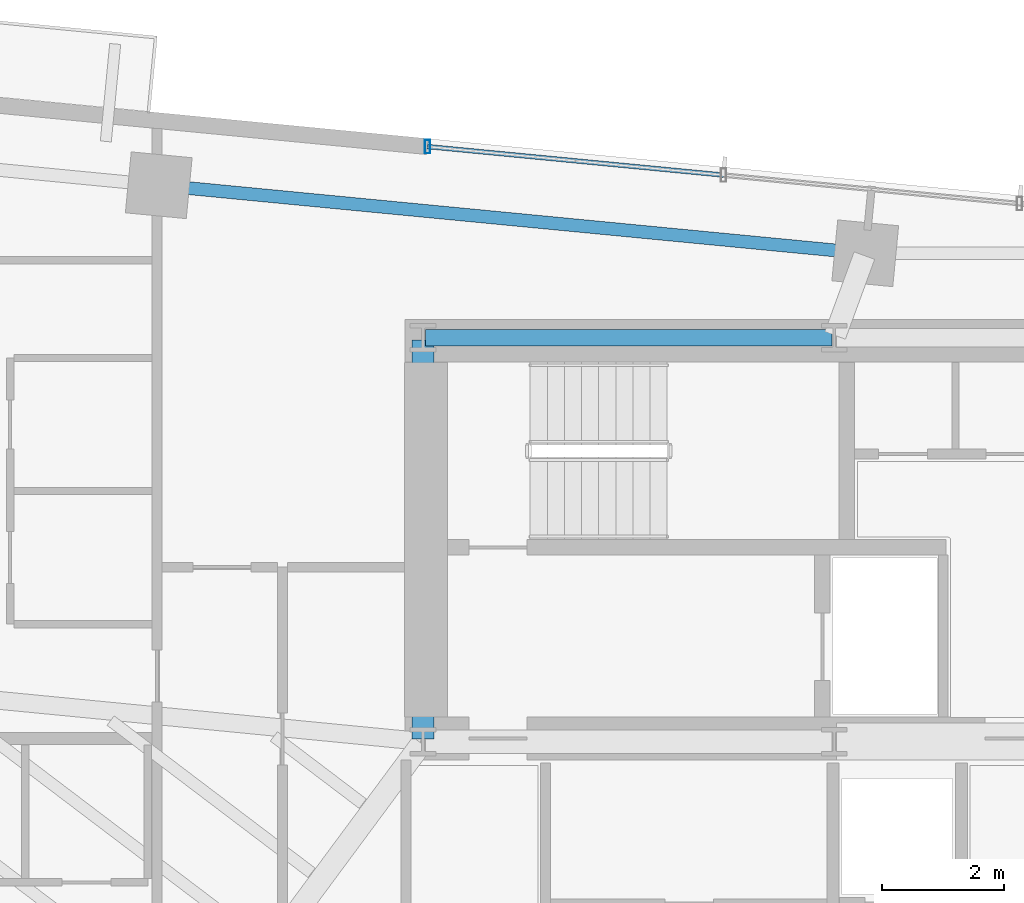
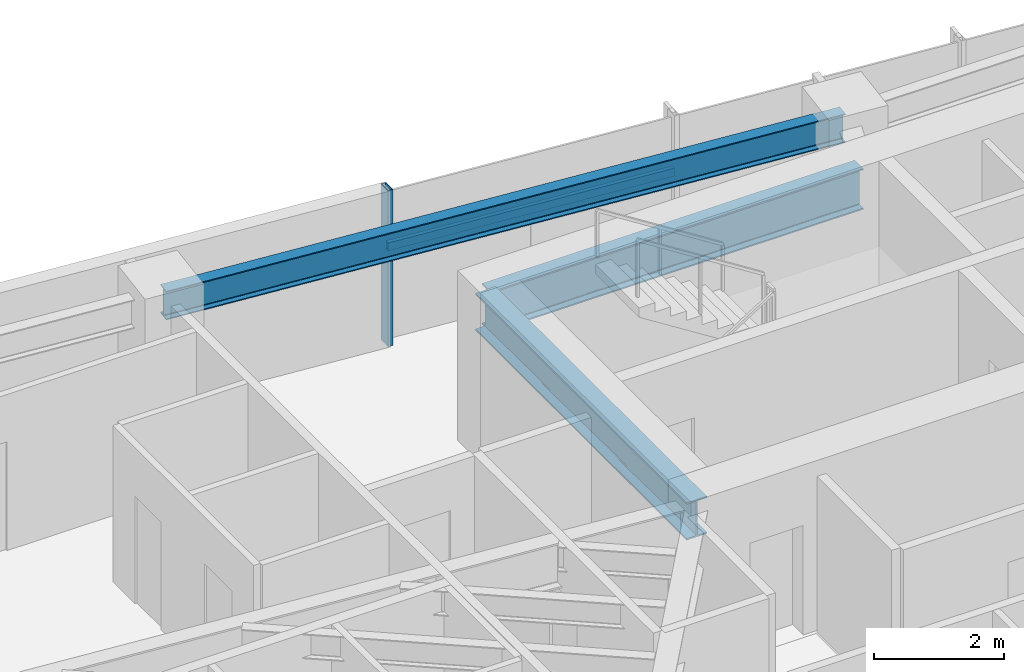
# One storey, part 7 of 20: 3 beams, 2 members, 1 element without a shape of its own.
"""IFC4 building model written with IfcOpenShell, lengths in metres."""

from ifc_helpers import new_model, si_unit, direction, frame, origin, origin_2d, place, context, subcontext, project, spatial, hollow_rectangle, i_section, extrude, source, transform, mapped, material, material_profile, profile_set, type_object, type_shapes, element, aggregate, save


model = new_model("IFC4")

# Units and contexts
model_context = context("Model", 3, precision=1e-05, world=origin(), true_north=direction((0.0, 1.0)))
body_context = subcontext(model_context, "Body", "Model", "MODEL_VIEW")
ifc_project = project(units=[si_unit("LENGTHUNIT", "METRE"), si_unit("AREAUNIT", "SQUARE_METRE"), si_unit("VOLUMEUNIT", "CUBIC_METRE"), si_unit("PLANEANGLEUNIT", "RADIAN"), si_unit("MASSUNIT", "GRAM", prefix="KILO")], contexts=[model_context])

# Site, building, storey
site_placement = place(None, origin())
site = spatial("IfcSite", under=ifc_project, at=site_placement, CompositionType="ELEMENT")
building_placement = place(site_placement, origin())
building = spatial("IfcBuilding", under=site, at=building_placement, Name="Astriad Promenade Condominiums", CompositionType="ELEMENT")
storey_placement = place(building_placement, frame((0.0, 0.0, 137.39990234375)))
storey = spatial("IfcBuildingStorey", under=building, at=storey_placement, Name="L39", CompositionType="ELEMENT", Elevation=137.39990234375)

# Beams
ifc_material_1 = material(Name="Steel ASTM A992 Grade 50", Category="steel")
ifc_material_profile_1 = material_profile(ifc_material_1, i_section(OverallWidth=0.267822265625, OverallDepth=0.76953125, WebThickness=0.015625, FlangeThickness=0.025390625, FilletRadius=0.021484375, at=origin_2d()), Name="W30X132")
ifc_profile_set_1 = profile_set([ifc_material_profile_1], Name="Steel ASTM A992 Grade 50")
beam_type_1 = type_object("IfcBeamType", Name="STEEL FLOOR GIRDER W30X132", PredefinedType="BEAM", material=ifc_profile_set_1)
shared_shape_1 = source(origin(), body_context, "Body", "SweptSolid", [
    extrude(i_section(OverallWidth=0.267822265625, OverallDepth=0.76953125, WebThickness=0.015625, FlangeThickness=0.025390625, FilletRadius=0.021484375, at=origin_2d()), origin(), (0.0, 0.0, 1.0), 6.64013671875),
])
type_shapes(beam_type_1, [shared_shape_1])
beam_1_placement = place(storey_placement, frame((26.43994140625, 24.0, 2.55517578125), z_axis=(1.0, 0.0, 0.0), x_axis=(0.0, 1.0, 0.0)))
element("IfcBeam", 1, at=beam_1_placement, inside=storey, type_object=beam_type_1, Name="Core Ring Beam CG-N1-L39", PredefinedType="BEAM", context=body_context, shape_type="MappedRepresentation", body=[
    mapped(shared_shape_1, transform((0.0, 0.0, 0.0), scale=1.0)),
])
ifc_material_profile_2 = material_profile(ifc_material_1, i_section(OverallWidth=0.35791015625, OverallDepth=0.706298828125, WebThickness=0.018310546875, FlangeThickness=0.0302734375, FilletRadius=0.020263671875, at=origin_2d()), Name="W27X178")
ifc_profile_set_2 = profile_set([ifc_material_profile_2], Name="Steel ASTM A992 Grade 50")
beam_type_2 = type_object("IfcBeamType", Name="STEEL FLOOR GIRDER W27X178", PredefinedType="BEAM", material=ifc_profile_set_2)
shared_shape_2 = source(origin(), body_context, "Body", "SweptSolid", [
    extrude(i_section(OverallWidth=0.35791015625, OverallDepth=0.706298828125, WebThickness=0.018310546875, FlangeThickness=0.0302734375, FilletRadius=0.020263671875, at=origin_2d()), origin(), (0.0, 0.0, 1.0), 6.52001953125),
])
type_shapes(beam_type_2, [shared_shape_2])
beam_2_placement = place(storey_placement, frame((26.39990234375, 17.43994140625, 2.5869140625), z_axis=(0.0, 1.0, 0.0), x_axis=(-1.0, 0.0, 0.0)))
element("IfcBeam", 2, at=beam_2_placement, inside=storey, type_object=beam_type_2, Name="Core Ring Beam CG-W1-L39", PredefinedType="BEAM", context=body_context, shape_type="MappedRepresentation", body=[
    mapped(shared_shape_2, transform((0.0, 0.0, 0.0), scale=1.0)),
])
ifc_material_profile_3 = material_profile(ifc_material_1, i_section(OverallWidth=0.210693359375, OverallDepth=0.53955078125, WebThickness=0.01171875, FlangeThickness=0.018798828125, FilletRadius=0.0166015625, at=origin_2d()), Name="W21X73")
ifc_profile_set_3 = profile_set([ifc_material_profile_3], Name="Steel ASTM A992 Grade 50")
beam_type_3 = type_object("IfcBeamType", Name="STEEL SPANDREL BEAM W21X73", PredefinedType="SPANDREL", material=ifc_profile_set_3)
shared_shape_3 = source(origin(), body_context, "Body", "SweptSolid", [
    extrude(i_section(OverallWidth=0.210693359375, OverallDepth=0.53955078125, WebThickness=0.01171875, FlangeThickness=0.018798828125, FilletRadius=0.0166015625, at=origin_2d()), origin(), (0.0, 0.0, 1.0), 11.52001953125),
])
type_shapes(beam_type_3, [shared_shape_3])
beam_3_placement = place(storey_placement, frame((33.58642578125, 25.384033203125, 2.67041015625), z_axis=(-0.9953953902, 0.095854145285, 0.0), x_axis=(-0.095854145285, -0.9953953902, 0.0)))
element("IfcBeam", 3, at=beam_3_placement, inside=storey, type_object=beam_type_3, Name="Perimeter Spandrel Beam SP-N2-L39", PredefinedType="SPANDREL", context=body_context, shape_type="MappedRepresentation", body=[
    mapped(shared_shape_3, transform((0.0, 0.0, 0.0), scale=1.0)),
])

# Curtain wall, members
ifc_material_2 = material(Name="Anodised aluminium Black Dark Glass Unitised", Category="aluminium")
curtain_wall_type = type_object("IfcCurtainWallType", Name="CW-B34-DARK", PredefinedType="USERDEFINED", material=ifc_material_2)
curtain_wall_placement = place(storey_placement, origin())
curtain_wall = element("IfcCurtainWall", 4, at=curtain_wall_placement, inside=storey, type_object=curtain_wall_type, Name="CW-L39-N", ObjectType="UNITISED_CURTAIN_WALL", PredefinedType="USERDEFINED")
ifc_material_3 = material(Name="Anodised aluminium 6063-T6 Black", Category="aluminium")
ifc_material_profile_4 = material_profile(ifc_material_3, hollow_rectangle(XDim=0.074951171875, YDim=0.14990234375, WallThickness=0.004150390625, at=origin_2d()), Name="ALU-TRN-75X150")
ifc_profile_set_4 = profile_set([ifc_material_profile_4], Name="Anodised aluminium 6063-T6 Black")
member_type_1 = type_object("IfcMemberType", Name="TRN-ALU-TRN-75X150", PredefinedType="USERDEFINED", material=ifc_profile_set_4)
shared_shape_4 = source(origin(), body_context, "Body", "SweptSolid", [
    extrude(hollow_rectangle(XDim=0.074951171875, YDim=0.14990234375, WallThickness=0.004150390625, at=origin_2d()), origin(), (0.0, 0.0, 1.0), 4.860107421875),
])
type_shapes(member_type_1, [shared_shape_4])
member_1_placement = place(storey_placement, frame((26.470458984375, 27.124267578125, 1.822998046875), z_axis=(0.995396042559, -0.095847370639, 0.0), x_axis=(0.095847370639, 0.995396042559, 0.0)))
member_1 = element("IfcMember", 5, at=member_1_placement, type_object=member_type_1, Name="CW-L39-N-TRN-00-0", ObjectType="TRANSOM", PredefinedType="USERDEFINED", context=body_context, shape_type="MappedRepresentation", body=[
    mapped(shared_shape_4, transform((0.0, 0.0, 0.0), scale=1.0)),
])
ifc_material_profile_5 = material_profile(ifc_material_3, hollow_rectangle(XDim=0.0849609375, YDim=0.219970703125, WallThickness=0.0048828125, at=origin_2d()), Name="ALU-MUL-85X220")
ifc_profile_set_5 = profile_set([ifc_material_profile_5], Name="Anodised aluminium 6063-T6 Black")
member_type_2 = type_object("IfcMemberType", Name="MUL-ALU-MUL-85X220", PredefinedType="MULLION", material=ifc_profile_set_5)
shared_shape_5 = source(origin(), body_context, "Body", "SweptSolid", [
    extrude(hollow_rectangle(XDim=0.0849609375, YDim=0.219970703125, WallThickness=0.0048828125, at=origin_2d()), origin(), (0.0, 0.0, 1.0), 2.940185546875),
])
type_shapes(member_type_2, [shared_shape_5])
member_2_placement = place(storey_placement, frame((26.470458984375, 27.124267578125, 0.0), z_axis=(0.0, 0.0, 1.0), x_axis=(1.0, 0.0, 0.0)))
member_2 = element("IfcMember", 6, at=member_2_placement, type_object=member_type_2, Name="CW-L39-N-MUL-00", PredefinedType="MULLION", context=body_context, shape_type="MappedRepresentation", body=[
    mapped(shared_shape_5, transform((0.0, 0.0, 0.0), scale=1.0)),
])
aggregate(curtain_wall, [member_2, member_1])

save(model, "model.ifc")
